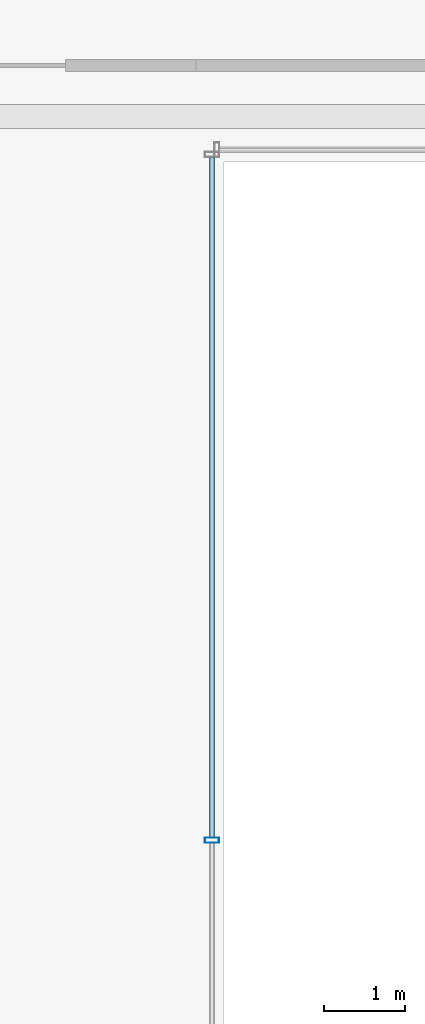
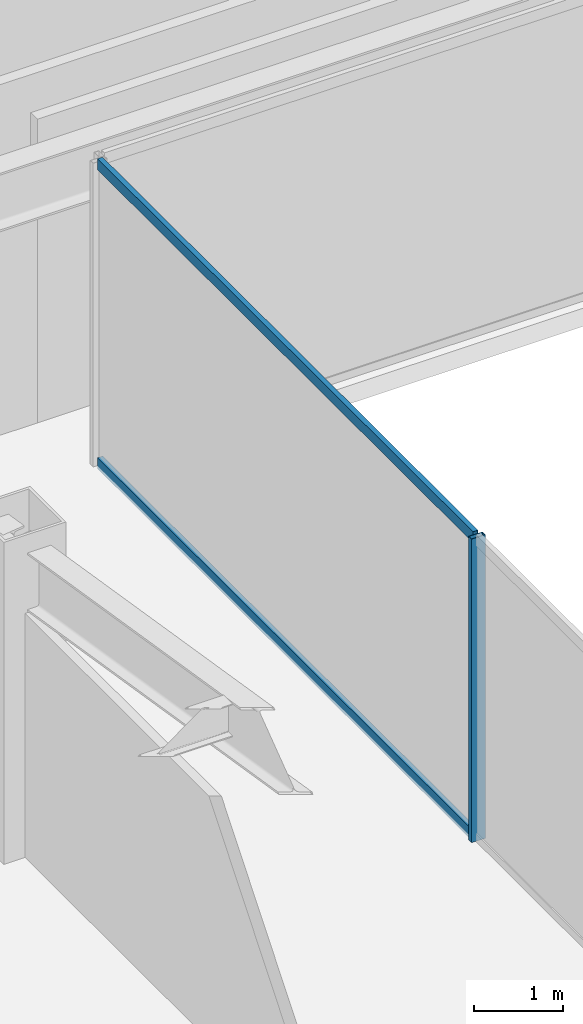
# One storey, part 14 of 47: 3 members, 1 element without a shape of its own.
"""IFC4 building model written with IfcOpenShell, lengths in metres."""

from ifc_helpers import new_model, si_unit, direction, frame, origin, origin_2d, place, context, subcontext, project, spatial, hollow_rectangle, extrude, material, material_profile, profile_set, type_object, element, aggregate, save


model = new_model("IFC4")

# Units and contexts
model_context = context("Model", 3, precision=1e-05, world=origin(), true_north=direction((0.0, 1.0)))
body_context = subcontext(model_context, "Body", "Model", "MODEL_VIEW")
ifc_project = project(units=[si_unit("LENGTHUNIT", "METRE"), si_unit("AREAUNIT", "SQUARE_METRE"), si_unit("VOLUMEUNIT", "CUBIC_METRE"), si_unit("PLANEANGLEUNIT", "RADIAN"), si_unit("MASSUNIT", "GRAM", prefix="KILO")], contexts=[model_context])

# Site, building, storey
site_placement = place(None, origin())
site = spatial("IfcSite", under=ifc_project, at=site_placement, CompositionType="ELEMENT")
building_placement = place(site_placement, origin())
building = spatial("IfcBuilding", under=site, at=building_placement, Name="Saevonmaru Cultural Tower", CompositionType="ELEMENT")
storey_placement = place(building_placement, frame((0.0, 0.0, 78.0)))
storey = spatial("IfcBuildingStorey", under=building, at=storey_placement, Name="L16", CompositionType="ELEMENT", Elevation=78.0)

# Curtain wall, members
ifc_material = material(Name="Satin Bronze Anodised Aluminium", Category="aluminium")
curtain_wall_type = type_object("IfcCurtainWallType", Name="CW-ATR-GLZ", PredefinedType="NOTDEFINED", material=ifc_material)
curtain_wall_placement = place(storey_placement, origin())
curtain_wall = element("IfcCurtainWall", 1, at=curtain_wall_placement, inside=storey, type_object=curtain_wall_type, Name="L16 Vertical Atrium Glazed Smoke Screen 4", PredefinedType="NOTDEFINED")
ifc_material_profile_1 = material_profile(ifc_material, hollow_rectangle(XDim=0.06494140625, YDim=0.179931640625, WallThickness=0.00390625, at=origin_2d()), Name="ALU-MULL-180x65x4")
ifc_profile_set_1 = profile_set([ifc_material_profile_1], Name="Satin Bronze Anodised Aluminium")
member_type_1 = type_object("IfcMemberType", Name="ML-CW-INT-180x65", PredefinedType="MULLION", material=ifc_profile_set_1)
member_1_placement = place(storey_placement, frame((24.050048828125, 29.3798828125, 0.0), z_axis=(0.0, 0.0, 1.0), x_axis=(0.0, -1.0, 0.0)))
member_1 = element("IfcMember", 2, at=member_1_placement, type_object=member_type_1, Name="CW-ATR-L16-4 mullion 2", PredefinedType="MULLION", context=body_context, shape_type="SweptSolid", body=[
    extrude(hollow_rectangle(XDim=0.06494140625, YDim=0.179931640625, WallThickness=0.00390625, at=origin_2d()), origin(), (0.0, 0.0, 1.0), 4.14990234375),
])
ifc_material_profile_2 = material_profile(ifc_material, hollow_rectangle(XDim=0.06494140625, YDim=0.14990234375, WallThickness=0.00390625, at=origin_2d()), Name="ALU-TRAN-150x65x4")
ifc_profile_set_2 = profile_set([ifc_material_profile_2], Name="Satin Bronze Anodised Aluminium")
member_type_2 = type_object("IfcMemberType", Name="TR-CW-INT-150x65", PredefinedType="USERDEFINED", material=ifc_profile_set_2)
member_2_placement = place(storey_placement, frame((24.050048828125, 37.8173828125, 0.032470703125), z_axis=(0.0, -1.0, 0.0), x_axis=(1.0, 0.0, 0.0)))
member_2 = element("IfcMember", 3, at=member_2_placement, type_object=member_type_2, Name="CW-ATR-L16-4 transom 1.1", ObjectType="TRANSOM", PredefinedType="USERDEFINED", context=body_context, shape_type="SweptSolid", body=[
    extrude(hollow_rectangle(XDim=0.06494140625, YDim=0.14990234375, WallThickness=0.00390625, at=origin_2d()), origin(), (0.0, 0.0, 1.0), 8.40478515625),
])
member_3_placement = place(storey_placement, frame((24.050048828125, 37.8173828125, 4.117431640625), z_axis=(0.0, -1.0, 0.0), x_axis=(1.0, 0.0, 0.0)))
member_3 = element("IfcMember", 4, at=member_3_placement, type_object=member_type_2, Name="CW-ATR-L16-4 transom 1.2", ObjectType="TRANSOM", PredefinedType="USERDEFINED", context=body_context, shape_type="SweptSolid", body=[
    extrude(hollow_rectangle(XDim=0.06494140625, YDim=0.14990234375, WallThickness=0.00390625, at=origin_2d()), origin(), (0.0, 0.0, 1.0), 8.40478515625),
])
aggregate(curtain_wall, [member_1, member_2, member_3])

save(model, "model.ifc")
